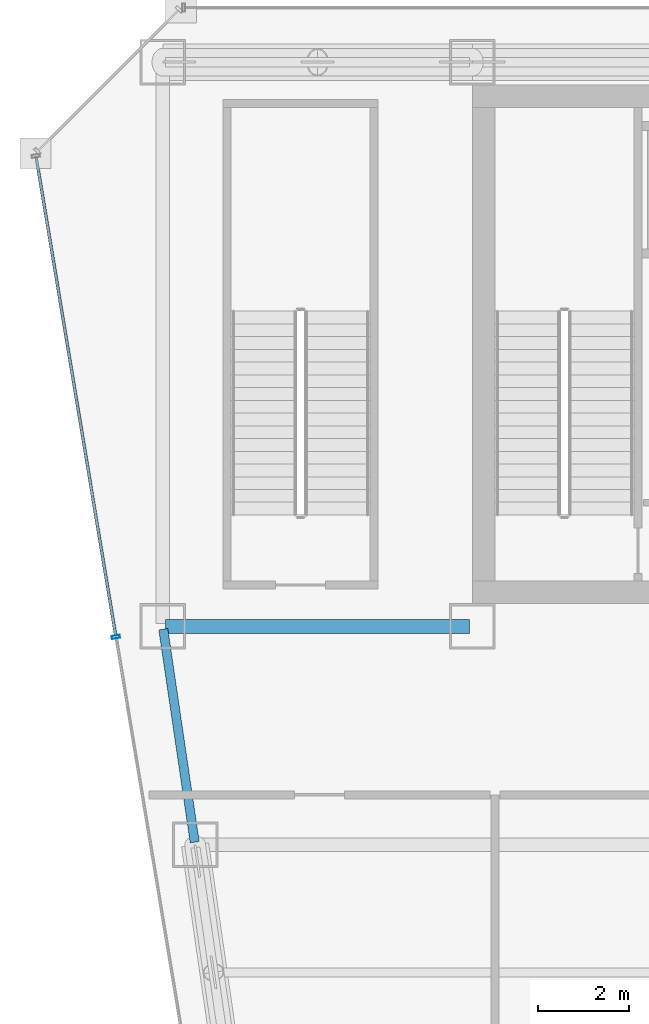
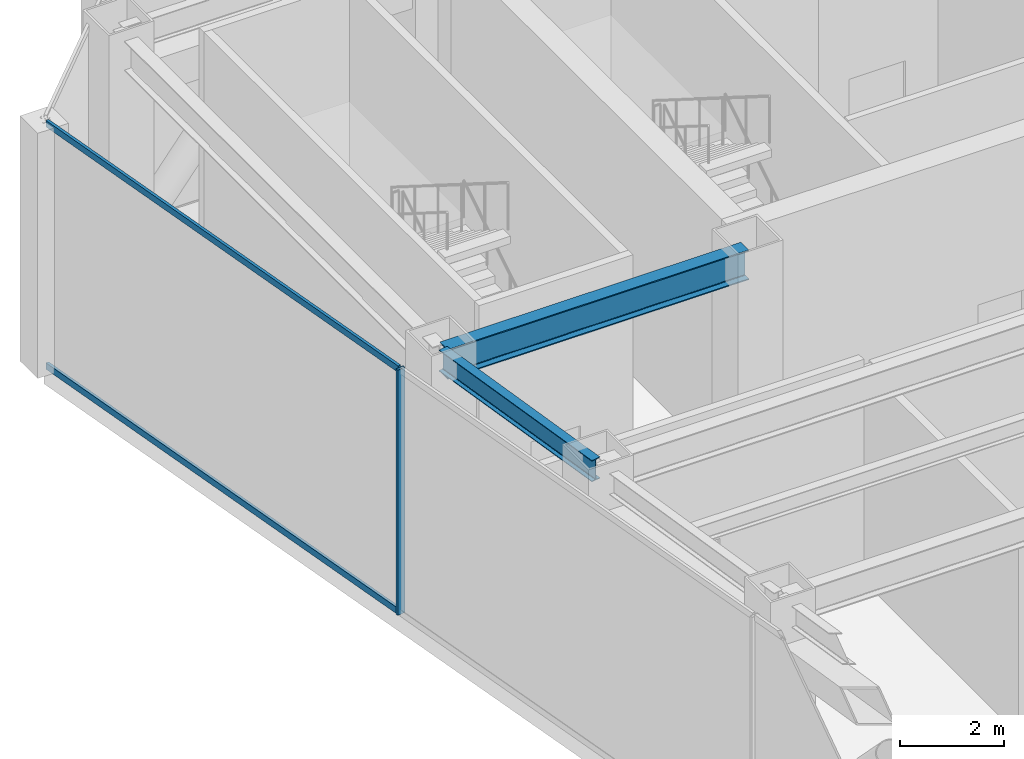
# One storey, part 16 of 30: 3 members, 2 beams, 1 element without a shape of its own.
"""IFC4 building model written with IfcOpenShell, lengths in metres."""

from ifc_helpers import new_model, si_unit, direction, frame, origin, origin_2d, place, context, subcontext, project, spatial, hollow_rectangle, i_section, extrude, material, material_profile, profile_set, type_object, element, aggregate, save


model = new_model("IFC4")

# Units and contexts
model_context = context("Model", 3, precision=1e-05, world=origin(), true_north=direction((0.0, 1.0)))
body_context = subcontext(model_context, "Body", "Model", "MODEL_VIEW")
ifc_project = project(units=[si_unit("LENGTHUNIT", "METRE"), si_unit("AREAUNIT", "SQUARE_METRE"), si_unit("VOLUMEUNIT", "CUBIC_METRE"), si_unit("PLANEANGLEUNIT", "RADIAN"), si_unit("MASSUNIT", "GRAM", prefix="KILO")], contexts=[model_context])

# Site, building, storey
site_placement = place(None, origin())
site = spatial("IfcSite", under=ifc_project, at=site_placement, CompositionType="ELEMENT")
building_placement = place(site_placement, origin())
building = spatial("IfcBuilding", under=site, at=building_placement, Name="Saevonmaru Cultural Tower", CompositionType="ELEMENT")
storey_placement = place(building_placement, frame((0.0, 0.0, 123.60009765625)))
storey = spatial("IfcBuildingStorey", under=building, at=storey_placement, Name="L26", CompositionType="ELEMENT", Elevation=123.60009765625)

# Beams
ifc_material_1 = material(Name="Steel SM355", Category="steel")
ifc_material_profile_1 = material_profile(ifc_material_1, i_section(OverallWidth=0.300048828125, OverallDepth=0.699951171875, WebThickness=0.012939453125, FlangeThickness=0.02392578125, FilletRadius=0.02587890625, at=origin_2d()), Name="H-700x300x13x24")
ifc_profile_set_1 = profile_set([ifc_material_profile_1], Name="Steel SM355")
beam_type_1 = type_object("IfcBeamType", Name="BM-G-H700", PredefinedType="BEAM", material=ifc_profile_set_1)
beam_1_placement = place(storey_placement, frame((6.860107421875, 42.39990234375, 5.39990234375), z_axis=(1.0, 0.0, 0.0), x_axis=(0.0, 1.0, 0.0)))
element("IfcBeam", 1, at=beam_1_placement, inside=storey, type_object=beam_type_1, Name="L26 Core South Girder 1", PredefinedType="BEAM", context=body_context, shape_type="SweptSolid", body=[
    extrude(i_section(OverallWidth=0.300048828125, OverallDepth=0.699951171875, WebThickness=0.012939453125, FlangeThickness=0.02392578125, FilletRadius=0.02587890625, at=origin_2d()), origin(), (0.0, 0.0, 1.0), 6.679931640625),
])
ifc_material_profile_2 = material_profile(ifc_material_1, i_section(OverallWidth=0.199951171875, OverallDepth=0.5, WebThickness=0.010009765625, FlangeThickness=0.01611328125, FilletRadius=0.02001953125, at=origin_2d()), Name="H-500x200x10x16")
ifc_profile_set_2 = profile_set([ifc_material_profile_2], Name="Steel SM355")
beam_type_2 = type_object("IfcBeamType", Name="BM-SP-H500", PredefinedType="SPANDREL", material=ifc_profile_set_2)
beam_2_placement = place(storey_placement, frame((7.499267578125, 37.659423828125, 5.5), z_axis=(-0.145912860028, 0.989297446312, 0.0), x_axis=(-0.989297446312, -0.145912860028, 0.0)))
element("IfcBeam", 2, at=beam_2_placement, inside=storey, type_object=beam_type_2, Name="L26 West Splayed Spandrel 5", PredefinedType="SPANDREL", context=body_context, shape_type="SweptSolid", body=[
    extrude(i_section(OverallWidth=0.199951171875, OverallDepth=0.5, WebThickness=0.010009765625, FlangeThickness=0.01611328125, FilletRadius=0.02001953125, at=origin_2d()), origin(), (0.0, 0.0, 1.0), 4.731689453125),
])

# Curtain wall, members
ifc_material_2 = material(Name="Satin Bronze Anodised Aluminium", Category="aluminium")
curtain_wall_type = type_object("IfcCurtainWallType", Name="CW-TYP-A", PredefinedType="NOTDEFINED", material=ifc_material_2)
curtain_wall_placement = place(storey_placement, origin())
curtain_wall = element("IfcCurtainWall", 3, at=curtain_wall_placement, inside=storey, type_object=curtain_wall_type, Name="L26 Wind-Floor Acoustic Louvre Screen E12", PredefinedType="NOTDEFINED")
ifc_material_profile_3 = material_profile(ifc_material_2, hollow_rectangle(XDim=0.06494140625, YDim=0.179931640625, WallThickness=0.00390625, at=origin_2d()), Name="ALU-MULL-180x65x4")
ifc_profile_set_3 = profile_set([ifc_material_profile_3], Name="Satin Bronze Anodised Aluminium")
member_type_1 = type_object("IfcMemberType", Name="ML-CW-180x65", PredefinedType="MULLION", material=ifc_profile_set_3)
member_1_placement = place(storey_placement, frame((5.76708984375, 42.17041015625, 0.0), z_axis=(0.0, 0.0, 1.0), x_axis=(0.163998702345, -0.986460554523, 0.0)))
member_1 = element("IfcMember", 4, at=member_1_placement, type_object=member_type_1, Name="CW-TW-L26-E12 mullion 2", PredefinedType="MULLION", context=body_context, shape_type="SweptSolid", body=[
    extrude(hollow_rectangle(XDim=0.06494140625, YDim=0.179931640625, WallThickness=0.00390625, at=origin_2d()), origin(), (0.0, 0.0, 1.0), 5.75),
])
ifc_material_profile_4 = material_profile(ifc_material_2, hollow_rectangle(XDim=0.06494140625, YDim=0.14990234375, WallThickness=0.00390625, at=origin_2d()), Name="ALU-TRAN-150x65x4")
ifc_profile_set_4 = profile_set([ifc_material_profile_4], Name="Satin Bronze Anodised Aluminium")
member_type_2 = type_object("IfcMemberType", Name="TR-CW-150x65", PredefinedType="USERDEFINED", material=ifc_profile_set_4)
member_2_placement = place(storey_placement, frame((4.01513671875, 52.708740234375, 0.032470703125), z_axis=(0.163990079074, -0.9864619881, 0.0), x_axis=(0.9864619881, 0.163990079074, 0.0)))
member_2 = element("IfcMember", 5, at=member_2_placement, type_object=member_type_2, Name="CW-TW-L26-E12 transom 1.1", ObjectType="TRANSOM", PredefinedType="USERDEFINED", context=body_context, shape_type="SweptSolid", body=[
    extrude(hollow_rectangle(XDim=0.06494140625, YDim=0.14990234375, WallThickness=0.00390625, at=origin_2d()), origin(), (0.0, 0.0, 1.0), 10.650634765625),
])
member_3_placement = place(storey_placement, frame((4.01513671875, 52.708740234375, 5.71728515625), z_axis=(0.163990079074, -0.9864619881, 0.0), x_axis=(0.9864619881, 0.163990079074, 0.0)))
member_3 = element("IfcMember", 6, at=member_3_placement, type_object=member_type_2, Name="CW-TW-L26-E12 transom 1.2", ObjectType="TRANSOM", PredefinedType="USERDEFINED", context=body_context, shape_type="SweptSolid", body=[
    extrude(hollow_rectangle(XDim=0.06494140625, YDim=0.14990234375, WallThickness=0.00390625, at=origin_2d()), origin(), (0.0, 0.0, 1.0), 10.650634765625),
])
aggregate(curtain_wall, [member_1, member_2, member_3])

save(model, "model.ifc")
